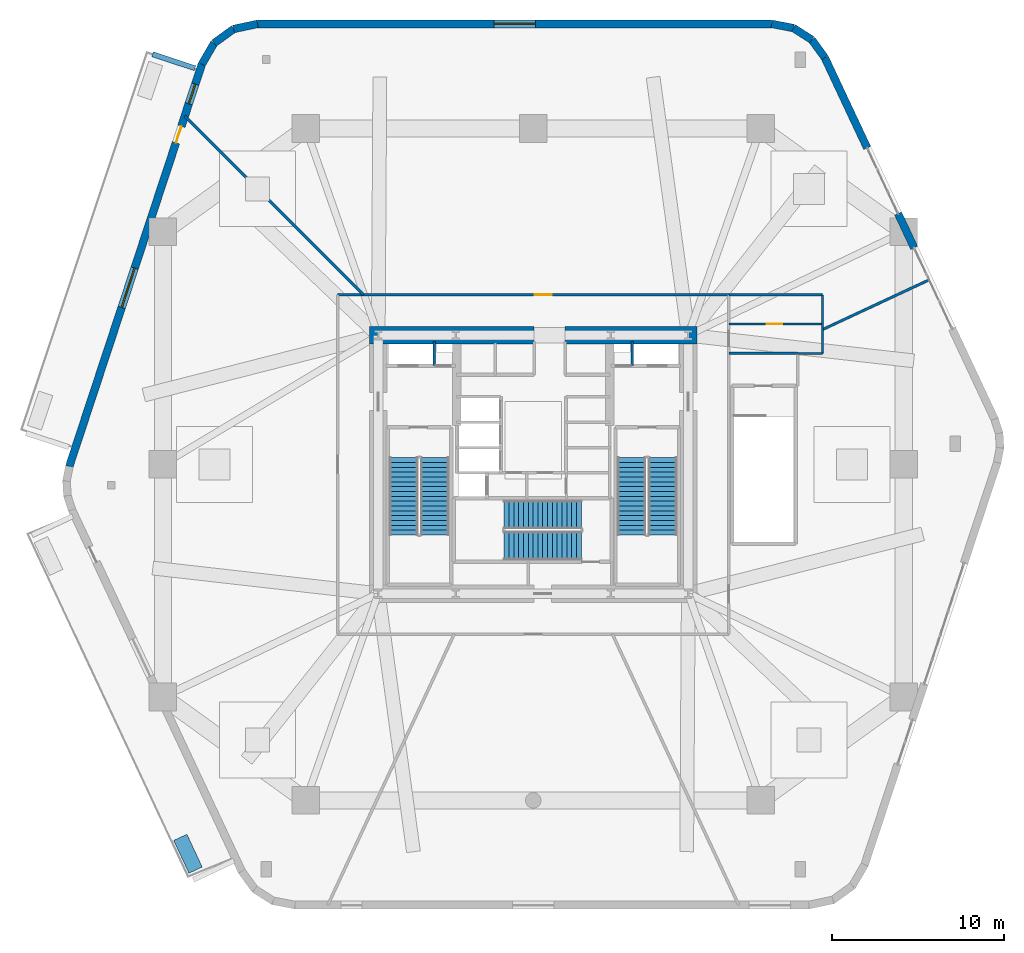
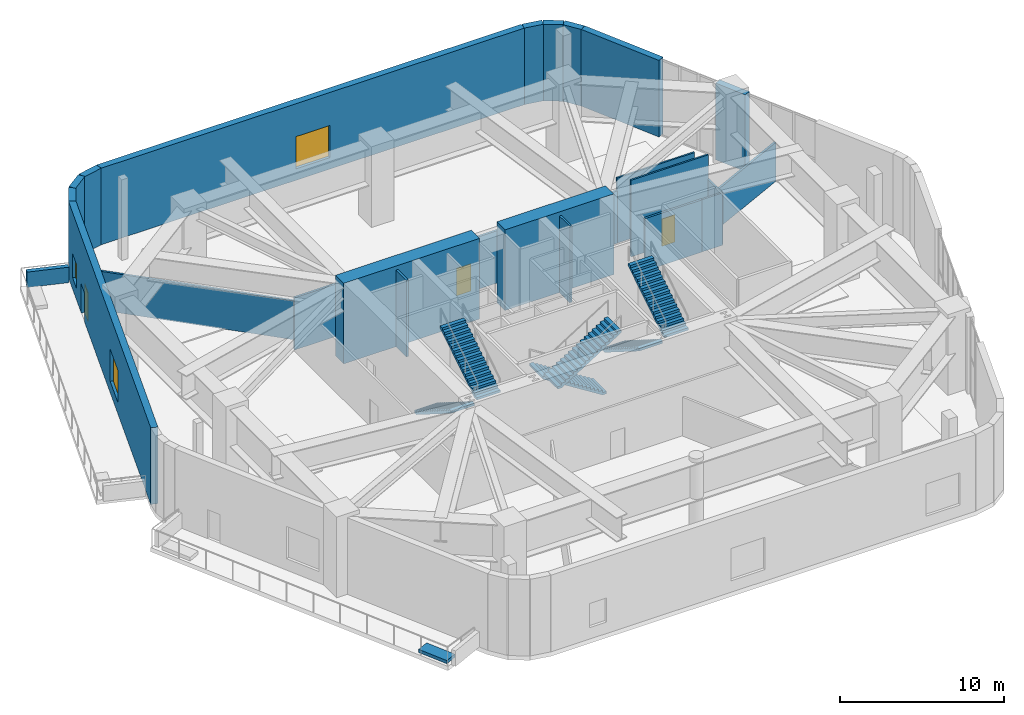
# One storey, part 10 of 14: 23 walls, 6 stair flights, 3 doors, 3 windows, 1 discrete accessory, 6 openings, 3 elements without a shape of their own.
"""IFC4 building model written with IfcOpenShell, lengths in metres."""

from ifc_helpers import new_model, si_unit, direction, frame, frame_2d, origin, origin_2d, place, context, subcontext, project, spatial, polyline, rectangle, outline, extrude, material, layer, layer_set, type_object, element, fill, aggregate, save


model = new_model("IFC4")

# Units and contexts
model_context = context("Model", 3, precision=1e-05, world=origin(), true_north=direction((0.0, 1.0)))
body_context = subcontext(model_context, "Body", "Model", "MODEL_VIEW")
ifc_project = project(units=[si_unit("LENGTHUNIT", "METRE"), si_unit("AREAUNIT", "SQUARE_METRE"), si_unit("VOLUMEUNIT", "CUBIC_METRE"), si_unit("PLANEANGLEUNIT", "RADIAN"), si_unit("MASSUNIT", "GRAM", prefix="KILO")], contexts=[model_context])

# Site, building, storey
site_placement = place(None, origin())
site = spatial("IfcSite", under=ifc_project, at=site_placement, CompositionType="ELEMENT")
building_placement = place(site_placement, origin())
building = spatial("IfcBuilding", under=site, at=building_placement, Name="Kilnhurst Terrace Hotel", CompositionType="ELEMENT")
storey_placement = place(building_placement, frame((0.0, 0.0, 28.199951171875)))
storey = spatial("IfcBuildingStorey", under=building, at=storey_placement, Name="L05", CompositionType="ELEMENT", Elevation=28.199951171875)

# Walls
ifc_material_1 = material(Name="Precast concrete C40/50", Category="concrete")
ifc_layer_1 = layer(ifc_material_1, 0.449951171875, Name="Precast concrete C40/50")
ifc_layer_set_1 = layer_set([ifc_layer_1], Name="Precast concrete C40/50")
wall_type_1 = type_object("IfcWallType", Name="WL-BRK-450", PredefinedType="SOLIDWALL", material=ifc_layer_set_1)
wall_1_placement = place(storey_placement, frame((16.923583984375, 23.61572265625, 0.0), z_axis=(0.0, 0.0, 1.0), x_axis=(-0.587471507827, 0.809244850148, 0.0)))
element("IfcWall", 1, at=wall_1_placement, inside=storey, type_object=wall_type_1, Name="L05 Rounded Corner Brick Wall C4.1", PredefinedType="SOLIDWALL", context=body_context, shape_type="SweptSolid", body=[
    extrude(rectangle(XDim=1.285888671875, YDim=0.449951171875, at=frame_2d((0.64306640625, 0.0))), origin(), (0.0, 0.0, 1.0), 5.699951171875),
])
wall_2_placement = place(storey_placement, frame((16.168212890625, 24.65625, 0.0), z_axis=(0.0, 0.0, 1.0), x_axis=(-0.844090705307, 0.536200411426, 0.0)))
element("IfcWall", 2, at=wall_2_placement, inside=storey, type_object=wall_type_1, Name="L05 Rounded Corner Brick Wall C4.2", PredefinedType="SOLIDWALL", context=body_context, shape_type="SweptSolid", body=[
    extrude(rectangle(XDim=1.263916015625, YDim=0.449951171875, at=frame_2d((0.6318359375, 0.0))), origin(), (0.0, 0.0, 1.0), 5.699951171875),
])
wall_3_placement = place(storey_placement, frame((15.101318359375, 25.333984375, 0.0), z_axis=(0.0, 0.0, 1.0), x_axis=(-0.982280348181, 0.18741749539, 0.0)))
element("IfcWall", 3, at=wall_3_placement, inside=storey, type_object=wall_type_1, Name="L05 Rounded Corner Brick Wall C4.3", PredefinedType="SOLIDWALL", context=body_context, shape_type="SweptSolid", body=[
    extrude(rectangle(XDim=1.28564453125, YDim=0.449951171875, at=frame_2d((0.642822265625, 0.0))), origin(), (0.0, 0.0, 1.0), 5.699951171875),
])
wall_4_placement = place(storey_placement, frame((-16.002197265625, 25.574951171875, 0.0), z_axis=(0.0, 0.0, 1.0), x_axis=(-0.978297489829, -0.207205263915, 0.0)))
element("IfcWall", 4, at=wall_4_placement, inside=storey, type_object=wall_type_1, Name="L05 Rounded Corner Brick Wall C5.1", PredefinedType="SOLIDWALL", context=body_context, shape_type="SweptSolid", body=[
    extrude(rectangle(XDim=1.4208984375, YDim=0.449951171875, at=frame_2d((0.71044921875, 0.0))), origin(), (0.0, 0.0, 1.0), 5.699951171875),
])
wall_5_placement = place(storey_placement, frame((-17.392333984375, 25.280517578125, 0.0), z_axis=(0.0, 0.0, 1.0), x_axis=(-0.810222644551, -0.586122228086, 0.0)))
element("IfcWall", 5, at=wall_5_placement, inside=storey, type_object=wall_type_1, Name="L05 Rounded Corner Brick Wall C5.2", PredefinedType="SOLIDWALL", context=body_context, shape_type="SweptSolid", body=[
    extrude(rectangle(XDim=1.396728515625, YDim=0.449951171875, at=frame_2d((0.6982421875, 0.0))), origin(), (0.0, 0.0, 1.0), 5.699951171875),
])
wall_6_placement = place(storey_placement, frame((-18.52392578125, 24.4619140625, 0.0), z_axis=(0.0, 0.0, 1.0), x_axis=(-0.503080278093, -0.864239685385, 0.0)))
element("IfcWall", 6, at=wall_6_placement, inside=storey, type_object=wall_type_1, Name="L05 Rounded Corner Brick Wall C5.3", PredefinedType="SOLIDWALL", context=body_context, shape_type="SweptSolid", body=[
    extrude(rectangle(XDim=1.4208984375, YDim=0.449951171875, at=frame_2d((0.71044921875, 0.0))), origin(), (0.0, 0.0, 1.0), 5.699951171875),
])
wall_7_placement = place(storey_placement, frame((22.11181640625, 12.572021484375, 0.0), z_axis=(0.0, 0.0, 1.0), x_axis=(-0.425192955888, 0.905102729122, 0.0)))
element("IfcWall", 7, at=wall_7_placement, inside=storey, type_object=wall_type_1, Name="L05 Face 3 Brick Pier 2", PredefinedType="SOLIDWALL", context=body_context, shape_type="SweptSolid", body=[
    extrude(rectangle(XDim=2.19970703125, YDim=0.449951171875, at=frame_2d((1.099853515625, 0.0))), origin(), (0.0, 0.0, 1.0), 5.699951171875),
])
wall_8_placement = place(storey_placement, frame((19.387939453125, 18.369873046875, 0.0), z_axis=(0.0, 0.0, 1.0), x_axis=(-0.425192418488, 0.905102981578, 0.0)))
element("IfcWall", 8, at=wall_8_placement, inside=storey, type_object=wall_type_1, Name="L05 Face 3 End Brick Pier", PredefinedType="SOLIDWALL", context=body_context, shape_type="SweptSolid", body=[
    extrude(rectangle(XDim=5.7958984375, YDim=0.449951171875, at=frame_2d((2.89794921875, 0.0))), origin(), (0.0, 0.0, 1.0), 5.699951171875),
])

# Wall, opening, window
wall_9_placement = place(storey_placement, frame((13.83837890625, 25.574951171875, 0.0), z_axis=(0.0, 0.0, 1.0), x_axis=(-1.0, 0.0, 0.0)))
wall_9 = element("IfcWall", 9, at=wall_9_placement, inside=storey, type_object=wall_type_1, Name="L05 Exterior Brick Facade Wall F4", PredefinedType="SOLIDWALL", context=body_context, shape_type="SweptSolid", body=[
    extrude(rectangle(XDim=29.840576171875, YDim=0.449951171875, at=frame_2d((14.92041015625, 0.0))), origin(), (0.0, 0.0, 1.0), 5.699951171875),
])
opening_1_placement = place(wall_9_placement, frame((13.719970703125, 0.0, 0.85009765625)))
opening_1 = element("IfcOpeningElement", 10, at=opening_1_placement, cuts=wall_9, Name="Opening W-07", PredefinedType="OPENING", context=body_context, shape_type="SweptSolid", body=[
    extrude(rectangle(XDim=2.39990234375, YDim=2.39990234375, at=frame_2d((1.199951171875, 1.199951171875))), frame((0.0, 0.23486328125, 0.0), z_axis=(0.0, -1.0, 0.0), x_axis=(1.0, 0.0, 0.0)), (0.0, 0.0, 1.0), 0.469970703125),
])
ifc_material_2 = material(Name="Thermally Broken Bronze Aluminium Alloy 6063-T6 and Low-E Glass", Category="aluminium")
window_type_1 = type_object("IfcWindowType", Name="WIN-2400X2400", PartitioningType="SINGLE_PANEL", PredefinedType="WINDOW", material=ifc_material_2)
window_1_placement = place(opening_1_placement, origin())
window_1 = element("IfcWindow", 11, at=window_1_placement, inside=storey, type_object=window_type_1, Name="L05 Deep-Set Masonry Window F4.1", OverallHeight=2.39990234375, OverallWidth=2.39990234375, PartitioningType="SINGLE_PANEL", PredefinedType="WINDOW", context=body_context, shape_type="SweptSolid", body=[
    extrude(rectangle(XDim=2.39990234375, YDim=2.39990234375, at=frame_2d((1.199951171875, 1.199951171875))), frame((0.0, 0.030029296875, 0.0), z_axis=(0.0, -1.0, 0.0), x_axis=(1.0, 0.0, 0.0)), (0.0, 0.0, 1.0), 0.06005859375),
])
fill(opening_1, window_1)

# Wall, openings, door, windows
wall_10_placement = place(storey_placement, frame((-19.23876953125, 23.23388671875, 0.0), z_axis=(0.0, 0.0, 1.0), x_axis=(-0.312996463282, -0.949754291369, 0.0)))
wall_10 = element("IfcWall", 12, at=wall_10_placement, inside=storey, type_object=wall_type_1, Name="L05 Exterior Brick Facade Wall F5", PredefinedType="SOLIDWALL", context=body_context, shape_type="SweptSolid", body=[
    extrude(rectangle(XDim=24.58447265625, YDim=0.449951171875, at=frame_2d((12.292236328125, 0.0))), origin(), (0.0, 0.0, 1.0), 5.699951171875),
])
opening_2_placement = place(wall_10_placement, frame((3.802001953125, 0.0, 0.0)))
opening_2 = element("IfcOpeningElement", 13, at=opening_2_placement, cuts=wall_10, Name="Opening BD-1000", PredefinedType="OPENING", context=body_context, shape_type="SweptSolid", body=[
    extrude(rectangle(XDim=1.0, YDim=2.14990234375, at=frame_2d((0.5, 1.074951171875))), frame((0.0, 0.23486328125, 0.0), z_axis=(0.0, -1.0, 0.0), x_axis=(1.0, 0.0, 0.0)), (0.0, 0.0, 1.0), 0.469970703125),
])
opening_3_placement = place(wall_10_placement, frame((1.217041015625, 0.0, 0.85009765625)))
opening_3 = element("IfcOpeningElement", 14, at=opening_3_placement, cuts=wall_10, Name="Opening W-03", PredefinedType="OPENING", context=body_context, shape_type="SweptSolid", body=[
    extrude(rectangle(XDim=1.199951171875, YDim=1.800048828125, at=frame_2d((0.60009765625, 0.89990234375))), frame((0.0, 0.23486328125, 0.0), z_axis=(0.0, -1.0, 0.0), x_axis=(1.0, 0.0, 0.0)), (0.0, 0.0, 1.0), 0.469970703125),
])
opening_4_placement = place(wall_10_placement, frame((12.464111328125, 0.0, 0.85009765625)))
opening_4 = element("IfcOpeningElement", 15, at=opening_4_placement, cuts=wall_10, Name="Opening W-07", PredefinedType="OPENING", context=body_context, shape_type="SweptSolid", body=[
    extrude(rectangle(XDim=2.39990234375, YDim=2.39990234375, at=frame_2d((1.199951171875, 1.199951171875))), frame((0.0, 0.23486328125, 0.0), z_axis=(0.0, -1.0, 0.0), x_axis=(1.0, 0.0, 0.0)), (0.0, 0.0, 1.0), 0.469970703125),
])
ifc_material_3 = material(Name="Thermally Broken Bronze Aluminium Alloy 6063-T6 and Laminated Glass", Category="aluminium")
door_type_1 = type_object("IfcDoorType", Name="DR-EXT-BAL-1000", OperationType="NOTDEFINED", PredefinedType="DOOR", material=ifc_material_3)
door_1_placement = place(opening_2_placement, origin())
door_1 = element("IfcDoor", 16, at=door_1_placement, inside=storey, type_object=door_type_1, Name="L05 Planted Balcony Door TERR-1", OperationType="SINGLE_SWING_LEFT", OverallHeight=2.14990234375, OverallWidth=1.0, PredefinedType="DOOR", context=body_context, shape_type="SweptSolid", body=[
    extrude(rectangle(XDim=1.0, YDim=2.14990234375, at=frame_2d((0.5, 1.074951171875))), frame((0.0, 0.02490234375, 0.0), z_axis=(0.0, -1.0, 0.0), x_axis=(1.0, 0.0, 0.0)), (0.0, 0.0, 1.0), 0.050048828125),
])
fill(opening_2, door_1)
window_type_2 = type_object("IfcWindowType", Name="WIN-1200X1800", PartitioningType="SINGLE_PANEL", PredefinedType="WINDOW", material=ifc_material_2)
window_2_placement = place(opening_3_placement, origin())
window_2 = element("IfcWindow", 17, at=window_2_placement, inside=storey, type_object=window_type_2, Name="L05 Deep-Set Masonry Window F5.1", OverallHeight=1.800048828125, OverallWidth=1.199951171875, PartitioningType="SINGLE_PANEL", PredefinedType="WINDOW", context=body_context, shape_type="SweptSolid", body=[
    extrude(rectangle(XDim=1.199951171875, YDim=1.800048828125, at=frame_2d((0.60009765625, 0.89990234375))), frame((0.0, 0.030029296875, 0.0), z_axis=(0.0, -1.0, 0.0), x_axis=(1.0, 0.0, 0.0)), (0.0, 0.0, 1.0), 0.06005859375),
])
fill(opening_3, window_2)
window_3_placement = place(opening_4_placement, origin())
window_3 = element("IfcWindow", 18, at=window_3_placement, inside=storey, type_object=window_type_1, Name="L05 Deep-Set Masonry Window F5.2", OverallHeight=2.39990234375, OverallWidth=2.39990234375, PartitioningType="SINGLE_PANEL", PredefinedType="WINDOW", context=body_context, shape_type="SweptSolid", body=[
    extrude(rectangle(XDim=2.39990234375, YDim=2.39990234375, at=frame_2d((1.199951171875, 1.199951171875))), frame((0.0, 0.030029296875, 0.0), z_axis=(0.0, -1.0, 0.0), x_axis=(1.0, 0.0, 0.0)), (0.0, 0.0, 1.0), 0.06005859375),
])
fill(opening_4, window_3)

# Wall, opening, door
ifc_material_4 = material(Name="Acoustic Double-Gypsum Corridor Partition Assembly")
ifc_layer_2 = layer(ifc_material_4, 0.14990234375, Name="Acoustic Double-Gypsum Corridor Partition Assembly")
ifc_layer_set_2 = layer_set([ifc_layer_2], Name="Acoustic Double-Gypsum Corridor Partition Assembly")
wall_type_2 = type_object("IfcWallType", Name="WL-COR-150", PredefinedType="PARTITIONING", material=ifc_layer_set_2)
wall_11_placement = place(storey_placement, frame((-11.35009765625, 9.85009765625, 0.0), z_axis=(0.0, 0.0, 1.0), x_axis=(1.0, 0.0, 0.0)))
wall_11 = element("IfcWall", 19, at=wall_11_placement, inside=storey, type_object=wall_type_2, Name="L05 Interior Wall WL-L05-COR-02", PredefinedType="PARTITIONING", context=body_context, shape_type="SweptSolid", body=[
    extrude(rectangle(XDim=22.7001953125, YDim=0.14990234375, at=frame_2d((11.35009765625, 0.0))), origin(), (0.0, 0.0, 1.0), 3.89013671875),
])
opening_5_placement = place(wall_11_placement, frame((11.429931640625, 0.0, 0.0)))
opening_5 = element("IfcOpeningElement", 20, at=opening_5_placement, cuts=wall_11, Name="Opening D-10A", PredefinedType="OPENING", context=body_context, shape_type="SweptSolid", body=[
    extrude(rectangle(XDim=1.0, YDim=2.030029296875, at=frame_2d((0.5, 1.01513671875))), frame((0.0, 0.0849609375, 0.0), z_axis=(0.0, -1.0, 0.0), x_axis=(1.0, 0.0, 0.0)), (0.0, 0.0, 1.0), 0.169921875),
])
ifc_material_5 = material(Name="Solid-Core American White Oak Interior Door")
door_type_2 = type_object("IfcDoorType", Name="DR-INT-1000", OperationType="NOTDEFINED", PredefinedType="DOOR", material=ifc_material_5)
door_2_placement = place(opening_5_placement, origin())
door_2 = element("IfcDoor", 21, at=door_2_placement, inside=storey, type_object=door_type_2, Name="L05 Terrace Bar Servery Kitchen Door", OperationType="SINGLE_SWING_LEFT", OverallHeight=2.030029296875, OverallWidth=1.0, PredefinedType="DOOR", context=body_context, shape_type="SweptSolid", body=[
    extrude(rectangle(XDim=1.0, YDim=2.030029296875, at=frame_2d((0.5, 1.01513671875))), frame((0.0, 0.02490234375, 0.0), z_axis=(0.0, -1.0, 0.0), x_axis=(1.0, 0.0, 0.0)), (0.0, 0.0, 1.0), 0.050048828125),
])
fill(opening_5, door_2)

# Walls
wall_12_placement = place(storey_placement, frame((11.35009765625, 6.449951171875, 0.0), z_axis=(0.0, 0.0, 1.0), x_axis=(1.0, 0.0, 0.0)))
element("IfcWall", 22, at=wall_12_placement, inside=storey, type_object=wall_type_2, Name="L05 Interior Wall WL-L05-ST4-VEST-N", PredefinedType="PARTITIONING", context=body_context, shape_type="SweptSolid", body=[
    extrude(rectangle(XDim=4.0, YDim=0.14990234375, at=frame_2d((2.0, 0.0))), origin(), (0.0, 0.0, 1.0), 3.89013671875),
])
ifc_material_6 = material(Name="Concrete C80/95", Category="concrete")
ifc_layer_3 = layer(ifc_material_6, 1.0, Name="Concrete C80/95")
ifc_layer_set_3 = layer_set([ifc_layer_3], Name="Concrete C80/95")
wall_type_3 = type_object("IfcWallType", Name="WL-CORE-1000", PredefinedType="SHEAR", material=ifc_layer_set_3)
wall_13_placement = place(storey_placement, frame((-9.5, 7.5, 0.0), z_axis=(0.0, 0.0, 1.0), x_axis=(1.0, 0.0, 0.0)))
element("IfcWall", 23, at=wall_13_placement, inside=storey, type_object=wall_type_3, Name="L05 Core North West Shear Wall", PredefinedType="SHEAR", context=body_context, shape_type="SweptSolid", body=[
    extrude(rectangle(XDim=9.550048828125, YDim=1.0, at=frame_2d((4.77490234375, 0.0))), origin(), (0.0, 0.0, 1.0), 6.0),
])
wall_14_placement = place(storey_placement, frame((1.85009765625, 7.5, 0.0), z_axis=(0.0, 0.0, 1.0), x_axis=(1.0, 0.0, 0.0)))
element("IfcWall", 24, at=wall_14_placement, inside=storey, type_object=wall_type_3, Name="L05 Core North East Shear Wall", PredefinedType="SHEAR", context=body_context, shape_type="SweptSolid", body=[
    extrude(rectangle(XDim=7.64990234375, YDim=1.0, at=frame_2d((3.824951171875, 0.0))), origin(), (0.0, 0.0, 1.0), 6.0),
])
ifc_layer_4 = layer(ifc_material_1, 0.300048828125, Name="Precast concrete C40/50")
ifc_layer_set_4 = layer_set([ifc_layer_4], Name="Precast concrete C40/50")
wall_type_4 = type_object("IfcWallType", Name="WL-PAR-300", PredefinedType="PARAPET", material=ifc_layer_set_4)
wall_15_placement = place(storey_placement, frame((-19.6328125, 23.0, 0.0), z_axis=(0.0, 0.0, 1.0), x_axis=(-0.949766874343, 0.31295827901, 0.0)))
element("IfcWall", 25, at=wall_15_placement, inside=storey, type_object=wall_type_4, Name="L05 Terrace End Parapet Wall TERR-1.1", PredefinedType="PARAPET", context=body_context, shape_type="SweptSolid", body=[
    extrude(rectangle(XDim=2.60009765625, YDim=0.300048828125, at=frame_2d((1.300048828125, 0.0))), origin(), (0.0, 0.0, 1.0), 1.150146484375),
])
ifc_material_7 = material(Name="120 mm Moisture-Resistant Tile-Backed Bathroom Partition")
ifc_layer_5 = layer(ifc_material_7, 0.1201171875, Name="120 mm Moisture-Resistant Tile-Backed Bathroom Partition")
ifc_layer_set_5 = layer_set([ifc_layer_5], Name="120 mm Moisture-Resistant Tile-Backed Bathroom Partition")
wall_type_5 = type_object("IfcWallType", Name="WL-PART-120", PredefinedType="PARTITIONING", material=ifc_layer_set_5)
wall_16_placement = place(storey_placement, frame((15.35009765625, 6.449951171875, 0.0), z_axis=(0.0, 0.0, 1.0), x_axis=(1.0, 0.0, 0.0)))
element("IfcWall", 26, at=wall_16_placement, inside=storey, type_object=wall_type_5, Name="L05 Interior Wall WL-L05-PWC-S", PredefinedType="PARTITIONING", context=body_context, shape_type="SweptSolid", body=[
    extrude(rectangle(XDim=1.449951171875, YDim=0.1201171875, at=frame_2d((0.72509765625, 0.0))), origin(), (0.0, 0.0, 1.0), 3.89013671875),
])
wall_17_placement = place(storey_placement, frame((16.800048828125, 6.449951171875, 0.0), z_axis=(0.0, 0.0, 1.0), x_axis=(0.0, 1.0, 0.0)))
element("IfcWall", 27, at=wall_17_placement, inside=storey, type_object=wall_type_5, Name="L05 Interior Wall WL-L05-PWC-E", PredefinedType="PARTITIONING", context=body_context, shape_type="SweptSolid", body=[
    extrude(rectangle(XDim=3.400146484375, YDim=0.1201171875, at=frame_2d((1.7001953125, 0.0))), origin(), (0.0, 0.0, 1.0), 3.89013671875),
])
wall_18_placement = place(storey_placement, frame((11.35009765625, 9.85009765625, 0.0), z_axis=(0.0, 0.0, 1.0), x_axis=(1.0, 0.0, 0.0)))
element("IfcWall", 28, at=wall_18_placement, inside=storey, type_object=wall_type_5, Name="L05 Interior Wall WL-L05-PWC-N", PredefinedType="PARTITIONING", context=body_context, shape_type="SweptSolid", body=[
    extrude(rectangle(XDim=5.449951171875, YDim=0.1201171875, at=frame_2d((2.72509765625, 0.0))), origin(), (0.0, 0.0, 1.0), 4.834228515625),
])

# Wall, opening, door
wall_19_placement = place(storey_placement, frame((11.35009765625, 8.14990234375, 0.0), z_axis=(0.0, 0.0, 1.0), x_axis=(1.0, 0.0, 0.0)))
wall_19 = element("IfcWall", 29, at=wall_19_placement, inside=storey, type_object=wall_type_5, Name="L05 Interior Wall WL-L05-PWC-MID", PredefinedType="PARTITIONING", context=body_context, shape_type="SweptSolid", body=[
    extrude(rectangle(XDim=5.449951171875, YDim=0.1201171875, at=frame_2d((2.72509765625, 0.0))), origin(), (0.0, 0.0, 1.0), 5.699951171875),
])
opening_6_placement = place(wall_19_placement, frame((2.199951171875, 0.0, 0.0)))
opening_6 = element("IfcOpeningElement", 30, at=opening_6_placement, cuts=wall_19, Name="Opening D-09B", PredefinedType="OPENING", context=body_context, shape_type="SweptSolid", body=[
    extrude(rectangle(XDim=0.89990234375, YDim=2.030029296875, at=frame_2d((0.449951171875, 1.01513671875))), frame((0.0, 0.070068359375, 0.0), z_axis=(0.0, -1.0, 0.0), x_axis=(1.0, 0.0, 0.0)), (0.0, 0.0, 1.0), 0.14013671875),
])
ifc_material_8 = material(Name="Moisture-Resistant Solid-Core Restroom Door")
door_type_3 = type_object("IfcDoorType", Name="DR-INT-900", OperationType="NOTDEFINED", PredefinedType="DOOR", material=ifc_material_8)
door_3_placement = place(opening_6_placement, origin())
door_3 = element("IfcDoor", 31, at=door_3_placement, inside=storey, type_object=door_type_3, Name="L05 Accessible Restroom Door", OperationType="SINGLE_SWING_RIGHT", OverallHeight=2.030029296875, OverallWidth=0.89990234375, PredefinedType="DOOR", context=body_context, shape_type="SweptSolid", body=[
    extrude(rectangle(XDim=0.89990234375, YDim=2.030029296875, at=frame_2d((0.449951171875, 1.01513671875))), frame((0.0, 0.02490234375, 0.0), z_axis=(0.0, -1.0, 0.0), x_axis=(1.0, 0.0, 0.0)), (0.0, 0.0, 1.0), 0.050048828125),
])
fill(opening_6, door_3)

# Walls
ifc_material_9 = material(Name="150 mm Acoustic Gypsum Hospitality Partition")
ifc_layer_6 = layer(ifc_material_9, 0.14990234375, Name="150 mm Acoustic Gypsum Hospitality Partition")
ifc_layer_set_6 = layer_set([ifc_layer_6], Name="150 mm Acoustic Gypsum Hospitality Partition")
wall_type_6 = type_object("IfcWallType", Name="WL-PART-150", PredefinedType="PARTITIONING", material=ifc_layer_set_6)
wall_20_placement = place(storey_placement, frame((16.800048828125, 7.833984375, 0.0), z_axis=(0.0, 0.0, 1.0), x_axis=(0.906303781235, 0.422626852104, 0.0)))
element("IfcWall", 32, at=wall_20_placement, inside=storey, type_object=wall_type_6, Name="L05 Interior Wall WL-L05-PDIV-3-1", PredefinedType="PARTITIONING", context=body_context, shape_type="SweptSolid", body=[
    extrude(rectangle(XDim=6.822265625, YDim=0.14990234375, at=frame_2d((3.4111328125, 0.0))), origin(), (0.0, 0.0, 1.0), 2.89013671875),
])
wall_21_placement = place(storey_placement, frame((-9.85009765625, 9.85009765625, 0.0), z_axis=(0.0, 0.0, 1.0), x_axis=(-0.707106781187, 0.707106781187, 0.0)))
element("IfcWall", 33, at=wall_21_placement, inside=storey, type_object=wall_type_6, Name="L05 Interior Wall WL-L05-PDIV-4-1", PredefinedType="PARTITIONING", context=body_context, shape_type="SweptSolid", body=[
    extrude(rectangle(XDim=14.677978515625, YDim=0.14990234375, at=frame_2d((7.3388671875, 0.0))), origin(), (0.0, 0.0, 1.0), 2.89013671875),
])
ifc_material_10 = material(Name="Fire-Rated Gypsum Shaftliner Assembly")
ifc_layer_7 = layer(ifc_material_10, 0.14990234375, Name="Fire-Rated Gypsum Shaftliner Assembly")
ifc_layer_set_7 = layer_set([ifc_layer_7], Name="Fire-Rated Gypsum Shaftliner Assembly")
wall_type_7 = type_object("IfcWallType", Name="WL-SHAFT-150", PredefinedType="PARTITIONING", material=ifc_layer_set_7)
for number, where, z_axis, x_axis, name in (
    (34, (-5.75, 5.739990234375, 0.0), (0.0, 0.0, 1.0), (0.0, 1.0, 0.0), "L05 Interior Wall WL-L05-RIS1-DIV"),
    (35, (5.75, 5.739990234375, 0.0), (0.0, 0.0, 1.0), (0.0, 1.0, 0.0), "L05 Interior Wall WL-L05-RIS2-DIV"),
):
    element("IfcWall", number, at=place(storey_placement, frame(where, z_axis=z_axis, x_axis=x_axis)), inside=storey, type_object=wall_type_7, Name=name, PredefinedType="PARTITIONING", context=body_context, shape_type="SweptSolid", body=[
        extrude(rectangle(XDim=1.409912109375, YDim=0.14990234375, at=frame_2d((0.705078125, 0.0))), origin(), (0.0, 0.0, 1.0), 5.699951171875),
    ])

# Stair, stair flights
ifc_material_11 = material(Name="Concrete C50/60", Category="concrete")
stair_type = type_object("IfcStairType", Name="STR-CORE-1660", PredefinedType="HALF_TURN_STAIR", material=ifc_material_11)
stair_1_placement = place(storey_placement, origin())
stair_1 = element("IfcStair", 36, at=stair_1_placement, inside=storey, type_object=stair_type, Name="L05 ST-1", PredefinedType="HALF_TURN_STAIR")
stair_flight_type = type_object("IfcStairFlightType", Name="FLT-RC-1660", PredefinedType="STRAIGHT", material=ifc_material_11)
stair_flight_1_placement = place(storey_placement, frame((-7.52001953125, 0.389892578125, 0.0), z_axis=(0.0, 0.0, 1.0), x_axis=(0.0, -1.0, 0.0)))
stair_flight_1 = element("IfcStairFlight", 37, at=stair_flight_1_placement, type_object=stair_flight_type, Name="ST-1 flight 1", NumberOfRisers=17, NumberOfTreads=16, PredefinedType="STRAIGHT", RiserHeight=0.176470588, TreadLength=0.28, context=body_context, shape_type="SweptSolid", body=[
    extrude(outline(polyline([(0.0, 0.0), (0.0, 0.176513671875), (0.280029296875, 0.176513671875), (0.280029296875, 0.35302734375), (0.56005859375, 0.35302734375), (0.56005859375, 0.529296875), (0.840087890625, 0.529296875), (0.840087890625, 0.705810546875), (1.1201171875, 0.705810546875), (1.1201171875, 0.88232421875), (1.39990234375, 0.88232421875), (1.39990234375, 1.058837890625), (1.679931640625, 1.058837890625), (1.679931640625, 1.2353515625), (1.9599609375, 1.2353515625), (1.9599609375, 1.411865234375), (2.239990234375, 1.411865234375), (2.239990234375, 1.588134765625), (2.52001953125, 1.588134765625), (2.52001953125, 1.7646484375), (2.800048828125, 1.7646484375), (2.800048828125, 1.941162109375), (3.080078125, 1.941162109375), (3.080078125, 2.11767578125), (3.360107421875, 2.11767578125), (3.360107421875, 2.294189453125), (3.639892578125, 2.294189453125), (3.639892578125, 2.470703125), (3.919921875, 2.470703125), (3.919921875, 2.64697265625), (4.199951171875, 2.64697265625), (4.199951171875, 2.823486328125), (4.47998046875, 2.823486328125), (4.47998046875, 3.0), (4.47998046875, 2.646240234375), (0.28125, 0.0), (0.0, 0.0)])), frame((0.0, 0.830078125, 0.0), z_axis=(0.0, -1.0, 0.0), x_axis=(1.0, 0.0, 0.0)), (0.0, 0.0, 1.0), 1.659912109375),
])
stair_flight_2_placement = place(storey_placement, frame((-5.7099609375, -4.090087890625, 3.0), z_axis=(0.0, 0.0, 1.0), x_axis=(0.0, 1.0, 0.0)))
stair_flight_2 = element("IfcStairFlight", 38, at=stair_flight_2_placement, type_object=stair_flight_type, Name="ST-1 flight 2", NumberOfRisers=17, NumberOfTreads=16, PredefinedType="STRAIGHT", RiserHeight=0.176470588, TreadLength=0.28, context=body_context, shape_type="SweptSolid", body=[
    extrude(outline(polyline([(0.0, 0.0), (0.0, 0.176513671875), (0.280029296875, 0.176513671875), (0.280029296875, 0.35302734375), (0.56005859375, 0.35302734375), (0.56005859375, 0.529296875), (0.840087890625, 0.529296875), (0.840087890625, 0.705810546875), (1.1201171875, 0.705810546875), (1.1201171875, 0.88232421875), (1.39990234375, 0.88232421875), (1.39990234375, 1.058837890625), (1.679931640625, 1.058837890625), (1.679931640625, 1.2353515625), (1.9599609375, 1.2353515625), (1.9599609375, 1.411865234375), (2.239990234375, 1.411865234375), (2.239990234375, 1.588134765625), (2.52001953125, 1.588134765625), (2.52001953125, 1.7646484375), (2.800048828125, 1.7646484375), (2.800048828125, 1.941162109375), (3.080078125, 1.941162109375), (3.080078125, 2.11767578125), (3.360107421875, 2.11767578125), (3.360107421875, 2.294189453125), (3.639892578125, 2.294189453125), (3.639892578125, 2.470703125), (3.919921875, 2.470703125), (3.919921875, 2.64697265625), (4.199951171875, 2.64697265625), (4.199951171875, 2.823486328125), (4.47998046875, 2.823486328125), (4.47998046875, 3.0), (4.47998046875, 2.646240234375), (0.28125, 0.0), (0.0, 0.0)])), frame((0.0, 0.830078125, 0.0), z_axis=(0.0, -1.0, 0.0), x_axis=(1.0, 0.0, 0.0)), (0.0, 0.0, 1.0), 1.659912109375),
])
aggregate(stair_1, [stair_flight_1, stair_flight_2])

stair_2_placement = place(storey_placement, origin())
stair_2 = element("IfcStair", 39, at=stair_2_placement, inside=storey, type_object=stair_type, Name="L05 ST-2", PredefinedType="HALF_TURN_STAIR")
stair_flight_3_placement = place(storey_placement, frame((5.7099609375, 0.389892578125, 0.0), z_axis=(0.0, 0.0, 1.0), x_axis=(0.0, -1.0, 0.0)))
stair_flight_3 = element("IfcStairFlight", 40, at=stair_flight_3_placement, type_object=stair_flight_type, Name="ST-2 flight 1", NumberOfRisers=17, NumberOfTreads=16, PredefinedType="STRAIGHT", RiserHeight=0.176470588, TreadLength=0.28, context=body_context, shape_type="SweptSolid", body=[
    extrude(outline(polyline([(0.0, 0.0), (0.0, 0.176513671875), (0.280029296875, 0.176513671875), (0.280029296875, 0.35302734375), (0.56005859375, 0.35302734375), (0.56005859375, 0.529296875), (0.840087890625, 0.529296875), (0.840087890625, 0.705810546875), (1.1201171875, 0.705810546875), (1.1201171875, 0.88232421875), (1.39990234375, 0.88232421875), (1.39990234375, 1.058837890625), (1.679931640625, 1.058837890625), (1.679931640625, 1.2353515625), (1.9599609375, 1.2353515625), (1.9599609375, 1.411865234375), (2.239990234375, 1.411865234375), (2.239990234375, 1.588134765625), (2.52001953125, 1.588134765625), (2.52001953125, 1.7646484375), (2.800048828125, 1.7646484375), (2.800048828125, 1.941162109375), (3.080078125, 1.941162109375), (3.080078125, 2.11767578125), (3.360107421875, 2.11767578125), (3.360107421875, 2.294189453125), (3.639892578125, 2.294189453125), (3.639892578125, 2.470703125), (3.919921875, 2.470703125), (3.919921875, 2.64697265625), (4.199951171875, 2.64697265625), (4.199951171875, 2.823486328125), (4.47998046875, 2.823486328125), (4.47998046875, 3.0), (4.47998046875, 2.646240234375), (0.28125, 0.0), (0.0, 0.0)])), frame((0.0, 0.830078125, 0.0), z_axis=(0.0, -1.0, 0.0), x_axis=(1.0, 0.0, 0.0)), (0.0, 0.0, 1.0), 1.659912109375),
])
stair_flight_4_placement = place(storey_placement, frame((7.52001953125, -4.090087890625, 3.0), z_axis=(0.0, 0.0, 1.0), x_axis=(0.0, 1.0, 0.0)))
stair_flight_4 = element("IfcStairFlight", 41, at=stair_flight_4_placement, type_object=stair_flight_type, Name="ST-2 flight 2", NumberOfRisers=17, NumberOfTreads=16, PredefinedType="STRAIGHT", RiserHeight=0.176470588, TreadLength=0.28, context=body_context, shape_type="SweptSolid", body=[
    extrude(outline(polyline([(0.0, 0.0), (0.0, 0.176513671875), (0.280029296875, 0.176513671875), (0.280029296875, 0.35302734375), (0.56005859375, 0.35302734375), (0.56005859375, 0.529296875), (0.840087890625, 0.529296875), (0.840087890625, 0.705810546875), (1.1201171875, 0.705810546875), (1.1201171875, 0.88232421875), (1.39990234375, 0.88232421875), (1.39990234375, 1.058837890625), (1.679931640625, 1.058837890625), (1.679931640625, 1.2353515625), (1.9599609375, 1.2353515625), (1.9599609375, 1.411865234375), (2.239990234375, 1.411865234375), (2.239990234375, 1.588134765625), (2.52001953125, 1.588134765625), (2.52001953125, 1.7646484375), (2.800048828125, 1.7646484375), (2.800048828125, 1.941162109375), (3.080078125, 1.941162109375), (3.080078125, 2.11767578125), (3.360107421875, 2.11767578125), (3.360107421875, 2.294189453125), (3.639892578125, 2.294189453125), (3.639892578125, 2.470703125), (3.919921875, 2.470703125), (3.919921875, 2.64697265625), (4.199951171875, 2.64697265625), (4.199951171875, 2.823486328125), (4.47998046875, 2.823486328125), (4.47998046875, 3.0), (4.47998046875, 2.646240234375), (0.28125, 0.0), (0.0, 0.0)])), frame((0.0, 0.830078125, 0.0), z_axis=(0.0, -1.0, 0.0), x_axis=(1.0, 0.0, 0.0)), (0.0, 0.0, 1.0), 1.659912109375),
])
aggregate(stair_2, [stair_flight_3, stair_flight_4])

stair_3_placement = place(storey_placement, origin())
stair_3 = element("IfcStair", 42, at=stair_3_placement, inside=storey, type_object=stair_type, Name="L05 ST-3", PredefinedType="HALF_TURN_STAIR")
stair_flight_5_placement = place(storey_placement, frame((2.7900390625, -2.909912109375, 0.0), z_axis=(0.0, 0.0, 1.0), x_axis=(-1.0, 0.0, 0.0)))
stair_flight_5 = element("IfcStairFlight", 43, at=stair_flight_5_placement, type_object=stair_flight_type, Name="ST-3 flight 1", NumberOfRisers=17, NumberOfTreads=16, PredefinedType="STRAIGHT", RiserHeight=0.176470588, TreadLength=0.28, context=body_context, shape_type="SweptSolid", body=[
    extrude(outline(polyline([(0.0, 0.0), (0.0, 0.176513671875), (0.280029296875, 0.176513671875), (0.280029296875, 0.35302734375), (0.56005859375, 0.35302734375), (0.56005859375, 0.529296875), (0.840087890625, 0.529296875), (0.840087890625, 0.705810546875), (1.1201171875, 0.705810546875), (1.1201171875, 0.88232421875), (1.39990234375, 0.88232421875), (1.39990234375, 1.058837890625), (1.679931640625, 1.058837890625), (1.679931640625, 1.2353515625), (1.9599609375, 1.2353515625), (1.9599609375, 1.411865234375), (2.239990234375, 1.411865234375), (2.239990234375, 1.588134765625), (2.52001953125, 1.588134765625), (2.52001953125, 1.7646484375), (2.800048828125, 1.7646484375), (2.800048828125, 1.941162109375), (3.080078125, 1.941162109375), (3.080078125, 2.11767578125), (3.360107421875, 2.11767578125), (3.360107421875, 2.294189453125), (3.639892578125, 2.294189453125), (3.639892578125, 2.470703125), (3.919921875, 2.470703125), (3.919921875, 2.64697265625), (4.199951171875, 2.64697265625), (4.199951171875, 2.823486328125), (4.47998046875, 2.823486328125), (4.47998046875, 3.0), (4.47998046875, 2.646240234375), (0.28125, 0.0), (0.0, 0.0)])), frame((0.0, 0.830078125, 0.0), z_axis=(0.0, -1.0, 0.0), x_axis=(1.0, 0.0, 0.0)), (0.0, 0.0, 1.0), 1.659912109375),
])
stair_flight_6_placement = place(storey_placement, frame((-1.68994140625, -4.719970703125, 3.0), z_axis=(0.0, 0.0, 1.0), x_axis=(1.0, 0.0, 0.0)))
stair_flight_6 = element("IfcStairFlight", 44, at=stair_flight_6_placement, type_object=stair_flight_type, Name="ST-3 flight 2", NumberOfRisers=17, NumberOfTreads=16, PredefinedType="STRAIGHT", RiserHeight=0.176470588, TreadLength=0.28, context=body_context, shape_type="SweptSolid", body=[
    extrude(outline(polyline([(0.0, 0.0), (0.0, 0.176513671875), (0.280029296875, 0.176513671875), (0.280029296875, 0.35302734375), (0.56005859375, 0.35302734375), (0.56005859375, 0.529296875), (0.840087890625, 0.529296875), (0.840087890625, 0.705810546875), (1.1201171875, 0.705810546875), (1.1201171875, 0.88232421875), (1.39990234375, 0.88232421875), (1.39990234375, 1.058837890625), (1.679931640625, 1.058837890625), (1.679931640625, 1.2353515625), (1.9599609375, 1.2353515625), (1.9599609375, 1.411865234375), (2.239990234375, 1.411865234375), (2.239990234375, 1.588134765625), (2.52001953125, 1.588134765625), (2.52001953125, 1.7646484375), (2.800048828125, 1.7646484375), (2.800048828125, 1.941162109375), (3.080078125, 1.941162109375), (3.080078125, 2.11767578125), (3.360107421875, 2.11767578125), (3.360107421875, 2.294189453125), (3.639892578125, 2.294189453125), (3.639892578125, 2.470703125), (3.919921875, 2.470703125), (3.919921875, 2.64697265625), (4.199951171875, 2.64697265625), (4.199951171875, 2.823486328125), (4.47998046875, 2.823486328125), (4.47998046875, 3.0), (4.47998046875, 2.646240234375), (0.28125, 0.0), (0.0, 0.0)])), frame((0.0, 0.830078125, 0.0), z_axis=(0.0, -1.0, 0.0), x_axis=(1.0, 0.0, 0.0)), (0.0, 0.0, 1.0), 1.659912109375),
])
aggregate(stair_3, [stair_flight_5, stair_flight_6])

# Discrete accessory
ifc_material_12 = material(Name="Precast Concrete C40/50 Shrub Planter", Category="concrete")
discrete_accessory_type = type_object("IfcDiscreteAccessoryType", Name="PLN-SHRUB-240", PredefinedType="USERDEFINED", material=ifc_material_12)
discrete_accessory_placement = place(storey_placement, frame((-20.045654296875, -22.59814453125, 0.0), z_axis=(0.0, 0.0, 1.0), x_axis=(0.423962330854, -0.905679823126, 0.0)))
element("IfcDiscreteAccessory", 45, at=discrete_accessory_placement, inside=storey, type_object=discrete_accessory_type, Name="L05 Structural Tree Planter Box PLANTER TERR-2.2", ObjectType="PLANTER", PredefinedType="USERDEFINED", context=body_context, shape_type="SweptSolid", body=[
    extrude(rectangle(XDim=2.10009765625, YDim=0.85009765625, at=origin_2d()), origin(), (0.0, 0.0, 1.0), 0.239990234375),
])

save(model, "model.ifc")
